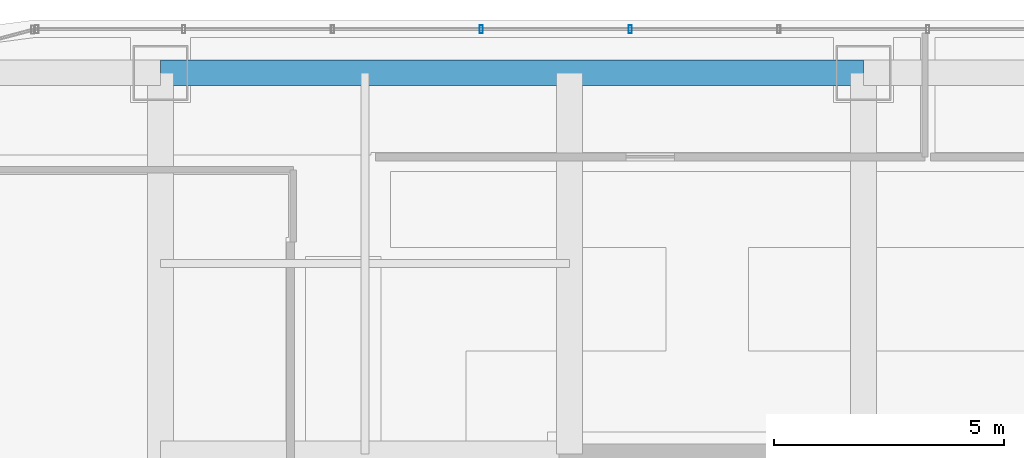
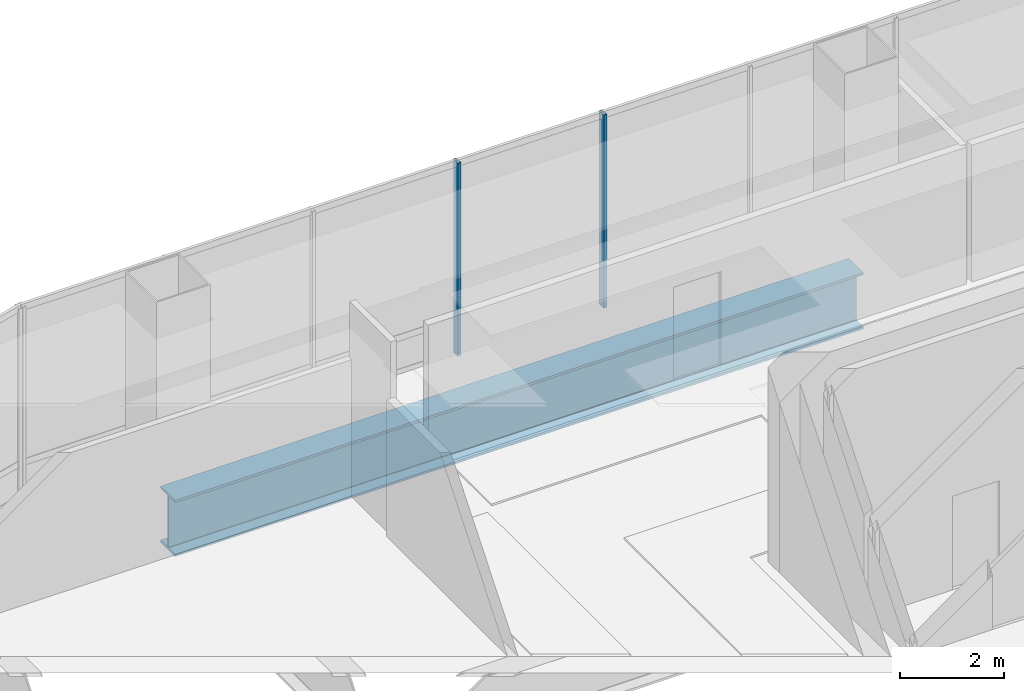
# One storey, part 26 of 44: 2 members, 1 beam, 1 element without a shape of its own.
"""IFC4 building model written with IfcOpenShell, lengths in metres."""

from ifc_helpers import new_model, si_unit, direction, frame, origin, origin_2d, place, context, subcontext, project, spatial, hollow_rectangle, i_section, extrude, material, material_profile, profile_set, type_object, element, aggregate, save


model = new_model("IFC4")

# Units and contexts
model_context = context("Model", 3, precision=1e-05, world=origin(), true_north=direction((0.0, 1.0)))
body_context = subcontext(model_context, "Body", "Model", "MODEL_VIEW")
ifc_project = project(units=[si_unit("LENGTHUNIT", "METRE"), si_unit("AREAUNIT", "SQUARE_METRE"), si_unit("VOLUMEUNIT", "CUBIC_METRE"), si_unit("PLANEANGLEUNIT", "RADIAN"), si_unit("MASSUNIT", "GRAM", prefix="KILO")], contexts=[model_context])

# Site, building, storey
site_placement = place(None, origin())
site = spatial("IfcSite", under=ifc_project, at=site_placement, CompositionType="ELEMENT")
building_placement = place(site_placement, origin())
building = spatial("IfcBuilding", under=site, at=building_placement, Name="Punatoya Terracotta Tower", CompositionType="ELEMENT")
storey_placement = place(building_placement, frame((0.0, 0.0, 334.199951171875)))
storey = spatial("IfcBuildingStorey", under=building, at=storey_placement, Name="L79", CompositionType="ELEMENT", Elevation=334.199951171875)

# Beam
ifc_material_1 = material(Name="Steel S460", Category="steel")
ifc_material_profile_1 = material_profile(ifc_material_1, i_section(OverallWidth=0.56005859375, OverallDepth=1.320068359375, WebThickness=0.035888671875, FlangeThickness=0.054931640625, FilletRadius=0.01806640625, at=origin_2d()))
ifc_profile_set_1 = profile_set([ifc_material_profile_1], Name="Steel S460")
beam_type = type_object("IfcBeamType", Name="BM-TG-BLK", PredefinedType="BEAM", material=ifc_profile_set_1)
beam_placement = place(storey_placement, frame((-19.10009765625, 17.5, -0.919921875), z_axis=(1.0, 0.0, 0.0), x_axis=(0.0, 1.0, 0.0)))
element("IfcBeam", 1, at=beam_placement, inside=storey, type_object=beam_type, Name="BM-L79-RG-N1", PredefinedType="BEAM", context=body_context, shape_type="SweptSolid", body=[
    extrude(i_section(OverallWidth=0.56005859375, OverallDepth=1.320068359375, WebThickness=0.035888671875, FlangeThickness=0.054931640625, FilletRadius=0.01806640625, at=origin_2d()), origin(), (0.0, 0.0, 1.0), 15.300048828125),
])

# Curtain wall, members
ifc_material_2 = material(Name="Aluminium 6063-T6 + Double Low-E Glass", Category="aluminium")
curtain_wall_type = type_object("IfcCurtainWallType", Name="CW-OBS", PredefinedType="NOTDEFINED", material=ifc_material_2)
curtain_wall_placement = place(storey_placement, origin())
curtain_wall = element("IfcCurtainWall", 2, at=curtain_wall_placement, inside=storey, type_object=curtain_wall_type, Name="L79 Curtain Wall CW-L79-N14-1", PredefinedType="NOTDEFINED")
ifc_material_3 = material(Name="Aluminium 6063-T6", Category="aluminium")
ifc_material_profile_2 = material_profile(ifc_material_3, hollow_rectangle(XDim=0.070068359375, YDim=0.179931640625, WallThickness=0.00390625, at=origin_2d()))
ifc_profile_set_2 = profile_set([ifc_material_profile_2], Name="Aluminium 6063-T6")
member_type = type_object("IfcMemberType", Name="CW-MUL-M3", PredefinedType="MULLION", material=ifc_profile_set_2)
member_1_placement = place(storey_placement, frame((-8.87890625, 18.449951171875, 0.0), z_axis=(0.0, 0.0, 1.0), x_axis=(1.0, 0.0, 0.0)))
member_1 = element("IfcMember", 3, at=member_1_placement, type_object=member_type, Name="CW-L79-N14-1 Mullion 08", PredefinedType="MULLION", context=body_context, shape_type="SweptSolid", body=[
    extrude(hollow_rectangle(XDim=0.070068359375, YDim=0.179931640625, WallThickness=0.00390625, at=origin_2d()), origin(), (0.0, 0.0, 1.0), 4.5400390625),
])
member_2_placement = place(storey_placement, frame((-12.118408203125, 18.449951171875, 0.0), z_axis=(0.0, 0.0, 1.0), x_axis=(1.0, 0.0, 0.0)))
member_2 = element("IfcMember", 4, at=member_2_placement, type_object=member_type, Name="CW-L79-N14-1 Mullion 09", PredefinedType="MULLION", context=body_context, shape_type="SweptSolid", body=[
    extrude(hollow_rectangle(XDim=0.070068359375, YDim=0.179931640625, WallThickness=0.00390625, at=origin_2d()), origin(), (0.0, 0.0, 1.0), 4.5400390625),
])
aggregate(curtain_wall, [member_1, member_2])

save(model, "model.ifc")
